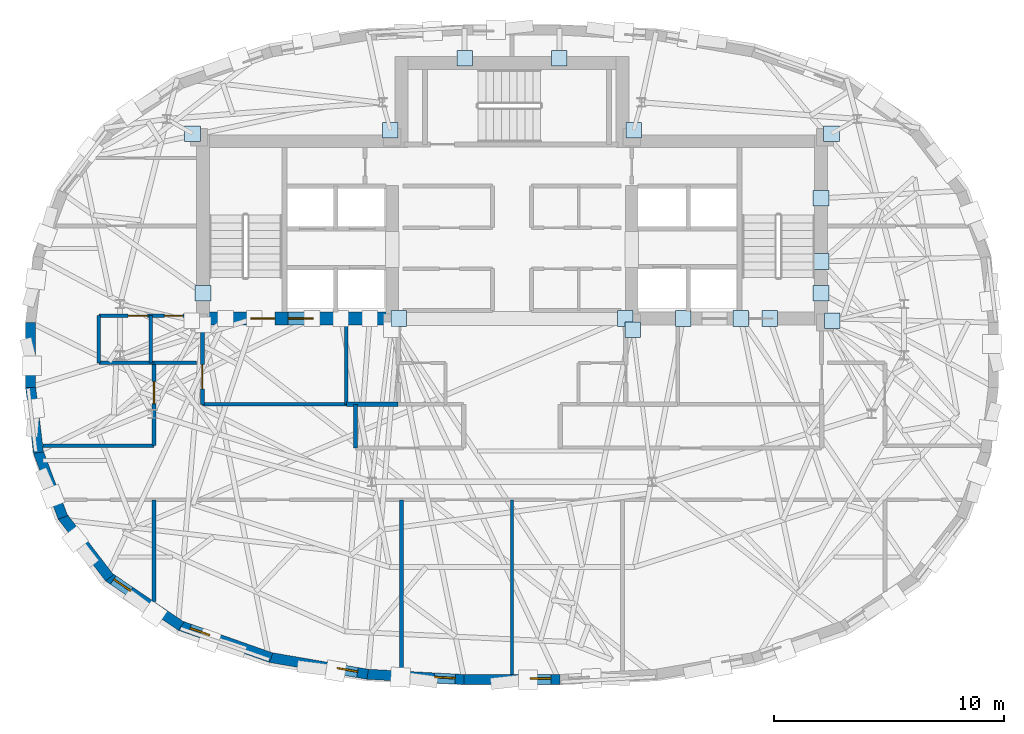
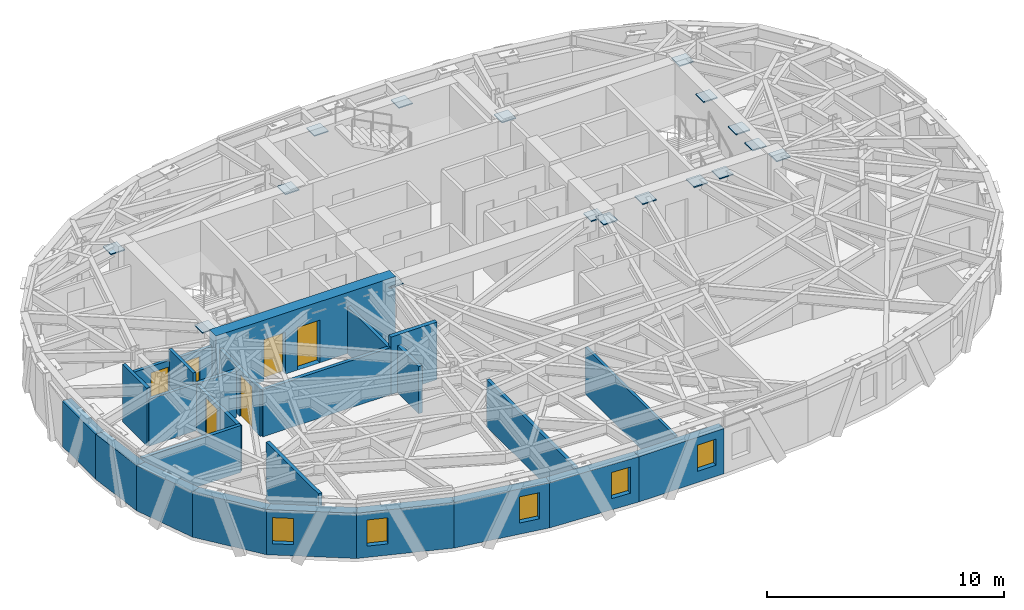
# One storey, part 5 of 12: 25 walls, 17 plates, 6 doors, 5 windows, 11 openings.
"""IFC4 building model written with IfcOpenShell, lengths in metres."""

from ifc_helpers import new_model, si_unit, direction, frame, frame_2d, origin, origin_2d, place, context, subcontext, project, spatial, rectangle, extrude, material, layer, layer_set, type_object, element, fill, save


model = new_model("IFC4")

# Units and contexts
model_context = context("Model", 3, precision=1e-05, world=origin(), true_north=direction((0.0, 1.0)))
body_context = subcontext(model_context, "Body", "Model", "MODEL_VIEW")
ifc_project = project(units=[si_unit("LENGTHUNIT", "METRE"), si_unit("AREAUNIT", "SQUARE_METRE"), si_unit("VOLUMEUNIT", "CUBIC_METRE"), si_unit("PLANEANGLEUNIT", "RADIAN"), si_unit("MASSUNIT", "GRAM", prefix="KILO")], contexts=[model_context])

# Site, building, storey
site_placement = place(None, origin())
site = spatial("IfcSite", under=ifc_project, at=site_placement, CompositionType="ELEMENT")
building_placement = place(site_placement, origin())
building = spatial("IfcBuilding", under=site, at=building_placement, Name="Keldmark Tower", CompositionType="ELEMENT")
storey_placement = place(building_placement, frame((0.0, 0.0, 247.800048828125)))
storey = spatial("IfcBuildingStorey", under=building, at=storey_placement, Name="L70", CompositionType="ELEMENT", Elevation=247.800048828125)

# Plates
ifc_material_1 = material(Name="Steel ASTM A572 Grade 50", Category="steel")
ifc_layer_1 = layer(ifc_material_1, 0.06005859375)
ifc_layer_set_1 = layer_set([ifc_layer_1], Name="Steel ASTM A572 Grade 50")
plate_type = type_object("IfcPlateType", Name="Belt Truss Kink Node Assembly KN01 60 mm", PredefinedType="USERDEFINED", material=ifc_layer_set_1)
for number, where, z_axis, x_axis, name in (
    (1, (13.91162109375, 1.473388671875, 2.67822265625), (0.0, 0.0, 1.0), (1.0, 0.0, 0.0), "L70 Core Wall Cast-In Embed Plate 2032"),
    (2, (13.878173828125, 9.608154296875, 2.67822265625), (0.0, 0.0, 1.0), (1.0, 0.0, 0.0), "L70 Core Wall Cast-In Embed Plate 2033"),
    (3, (5.28515625, 9.758544921875, 2.67822265625), (0.0, 0.0, 1.0), (1.0, 0.0, 0.0), "L70 Core Wall Cast-In Embed Plate 2034"),
    (4, (-5.28515625, 9.758544921875, 2.67822265625), (0.0, 0.0, 1.0), (1.0, 0.0, 0.0), "L70 Core Wall Cast-In Embed Plate 2035"),
    (5, (-13.878173828125, 9.608154296875, 2.67822265625), (0.0, 0.0, 1.0), (1.0, 0.0, 0.0), "L70 Core Wall Cast-In Embed Plate 2036"),
    (6, (5.24072265625, 1.08251953125, 2.67822265625), (0.0, 0.0, 1.0), (1.0, 0.0, 0.0), "L70 Core Wall Cast-In Embed Plate 2039"),
    (7, (2.059326171875, 12.8798828125, 2.673828125), (0.0, 0.0, 1.0), (1.0, 0.0, 0.0), "L70 Core Wall Cast-In Embed Plate 2040"),
    (8, (-2.059326171875, 12.8798828125, 2.673828125), (0.0, 0.0, 1.0), (1.0, 0.0, 0.0), "L70 Core Wall Cast-In Embed Plate 2041"),
    (9, (7.43212890625, 1.574951171875, 2.673828125), (0.0, 0.0, 1.0), (1.0, 0.0, 0.0), "L70 Core Wall Cast-In Embed Plate 2044"),
    (10, (11.19287109375, 1.574951171875, 2.673828125), (0.0, 0.0, 1.0), (1.0, 0.0, 0.0), "L70 Core Wall Cast-In Embed Plate 2045"),
    (11, (13.425048828125, 4.050048828125, 2.673828125), (0.0, 0.0, 1.0), (1.0, 0.0, 0.0), "L70 Core Wall Cast-In Embed Plate 2046"),
    (12, (4.925048828125, 1.574951171875, 2.673828125), (0.0, 0.0, 1.0), (1.0, 0.0, 0.0), "L70 Core Wall Cast-In Embed Plate 2047"),
    (13, (9.939208984375, 1.574951171875, 2.673828125), (0.0, 0.0, 1.0), (1.0, 0.0, 0.0), "L70 Core Wall Cast-In Embed Plate 2049"),
    (14, (13.425048828125, 6.800048828125, 2.673828125), (0.0, 0.0, 1.0), (1.0, 0.0, 0.0), "L70 Core Wall Cast-In Embed Plate 2050"),
    (15, (-4.925048828125, 1.574951171875, 2.673828125), (0.0, 0.0, 1.0), (1.0, 0.0, 0.0), "L70 Core Wall Cast-In Embed Plate 2054"),
    (16, (13.425048828125, 2.675048828125, 2.673828125), (0.0, 0.0, 1.0), (1.0, 0.0, 0.0), "L70 Core Wall Cast-In Embed Plate 2055"),
    (17, (-13.425048828125, 2.675048828125, 2.673828125), (0.0, 0.0, 1.0), (1.0, 0.0, 0.0), "L70 Core Wall Cast-In Embed Plate 2056"),
):
    element("IfcPlate", number, at=place(storey_placement, frame(where, z_axis=z_axis, x_axis=x_axis)), inside=storey, type_object=plate_type, Name=name, ObjectType="CAP PLATE", PredefinedType="USERDEFINED", context=body_context, shape_type="SweptSolid", body=[
        extrude(rectangle(XDim=0.679931640625, YDim=0.679931640625, at=origin_2d()), origin(), (0.0, 0.0, 1.0), 0.054931640625),
    ])

# Wall
ifc_material_2 = material(Name="Heavy Acoustic Plumbing Chase Gypsum Assembly", Category="gypsum")
ifc_layer_2 = layer(ifc_material_2, 0.18994140625)
ifc_layer_set_2 = layer_set([ifc_layer_2], Name="Heavy Acoustic Plumbing Chase Gypsum Assembly")
wall_type_1 = type_object("IfcWallType", Name="Heavy Wet Wall 190 mm", PredefinedType="PLUMBINGWALL", material=ifc_layer_set_2)
wall_1_placement = place(storey_placement, frame((-6.800048828125, -4.050048828125, 0.0), z_axis=(0.0, 0.0, 1.0), x_axis=(0.0, 1.0, 0.0)))
element("IfcWall", 18, at=wall_1_placement, inside=storey, type_object=wall_type_1, Name="L70 Heavy Wet Wall 190 mm SPK-W-W", PredefinedType="PLUMBINGWALL", context=body_context, shape_type="SweptSolid", body=[
    extrude(rectangle(XDim=1.900146484375, YDim=0.18994140625, at=frame_2d((0.9501953125, 0.0))), origin(), (0.0, 0.0, 1.0), 2.4228515625),
])

# Wall, openings, doors
ifc_material_3 = material(Name="Concrete C50/60", Category="concrete")
ifc_layer_3 = layer(ifc_material_3, 0.550048828125)
ifc_layer_set_3 = layer_set([ifc_layer_3], Name="Concrete C50/60")
wall_type_2 = type_object("IfcWallType", Name="High-Rise Core Shear Wall 550 mm", PredefinedType="SHEAR", material=ifc_layer_set_3)
wall_2_placement = place(storey_placement, frame((-4.925048828125, 1.574951171875, 0.0), z_axis=(0.0, 0.0, 1.0), x_axis=(-1.0, 0.0, 0.0)))
wall_2 = element("IfcWall", 19, at=wall_2_placement, inside=storey, type_object=wall_type_2, Name="L70 West Core South Shear Wall", PredefinedType="SHEAR", context=body_context, shape_type="SweptSolid", body=[
    extrude(rectangle(XDim=8.77490234375, YDim=0.550048828125, at=frame_2d((4.387451171875, 0.0))), origin(), (0.0, 0.0, 1.0), 3.14990234375),
])
opening_1_placement = place(wall_2_placement, frame((5.375, 0.0, 0.0)))
opening_1 = element("IfcOpeningElement", 20, at=opening_1_placement, cuts=wall_2, Name="Opening D-ST105", PredefinedType="OPENING", context=body_context, shape_type="SweptSolid", body=[
    extrude(rectangle(XDim=1.050048828125, YDim=2.14990234375, at=frame_2d((0.52490234375, 1.074951171875))), frame((0.0, 0.284912109375, 0.0), z_axis=(0.0, -1.0, 0.0), x_axis=(1.0, 0.0, 0.0)), (0.0, 0.0, 1.0), 0.570068359375),
])
opening_2_placement = place(wall_2_placement, frame((3.705078125, 0.0, 0.0)))
opening_2 = element("IfcOpeningElement", 21, at=opening_2_placement, cuts=wall_2, Name="Opening LD-110", PredefinedType="OPENING", context=body_context, shape_type="SweptSolid", body=[
    extrude(rectangle(XDim=1.10009765625, YDim=2.199951171875, at=frame_2d((0.550048828125, 1.10009765625))), frame((0.0, 0.284912109375, 0.0), z_axis=(0.0, -1.0, 0.0), x_axis=(1.0, 0.0, 0.0)), (0.0, 0.0, 1.0), 0.570068359375),
])
ifc_material_4 = material(Name="Brushed Bronze Hoistway Sliding Leaf", Category="metal")
door_type_1 = type_object("IfcDoorType", Name="Lift Landing Sliding Door 1100x2200", OperationType="SLIDING_TO_LEFT", PredefinedType="DOOR", material=ifc_material_4)
door_1_placement = place(opening_2_placement, origin())
door_1 = element("IfcDoor", 22, at=door_1_placement, inside=storey, type_object=door_type_1, Name="L70 Lift Landing Sliding Door 1100x2200 LD-EL-FS1-L70", OperationType="SLIDING_TO_LEFT", OverallHeight=2.199951171875, OverallWidth=1.10009765625, PredefinedType="DOOR", context=body_context, shape_type="SweptSolid", body=[
    extrude(rectangle(XDim=1.10009765625, YDim=2.199951171875, at=frame_2d((0.550048828125, 1.10009765625))), frame((0.0, 0.02490234375, 0.0), z_axis=(0.0, -1.0, 0.0), x_axis=(1.0, 0.0, 0.0)), (0.0, 0.0, 1.0), 0.050048828125),
])
fill(opening_2, door_1)
ifc_material_5 = material(Name="Hollow Metal Fire-Rated Door Assembly", Category="metal")
door_type_2 = type_object("IfcDoorType", Name="Stair Fire Door 1050x2150", OperationType="NOTDEFINED", PredefinedType="DOOR", material=ifc_material_5)
door_2_placement = place(opening_1_placement, origin())
door_2 = element("IfcDoor", 23, at=door_2_placement, inside=storey, type_object=door_type_2, Name="L70 Stair Fire Door 1050x2150 D-ST1-L70", OperationType="SINGLE_SWING_RIGHT", OverallHeight=2.14990234375, OverallWidth=1.050048828125, PredefinedType="DOOR", context=body_context, shape_type="SweptSolid", body=[
    extrude(rectangle(XDim=1.050048828125, YDim=2.14990234375, at=frame_2d((0.52490234375, 1.074951171875))), frame((0.0, 0.02490234375, 0.0), z_axis=(0.0, -1.0, 0.0), x_axis=(1.0, 0.0, 0.0)), (0.0, 0.0, 1.0), 0.050048828125),
])
fill(opening_1, door_2)

# Walls
ifc_material_6 = material(Name="Acoustic Gypsum Board Interior Partition", Category="gypsum")
ifc_layer_4 = layer(ifc_material_6, 0.1298828125)
ifc_layer_set_4 = layer_set([ifc_layer_4], Name="Acoustic Gypsum Board Interior Partition")
wall_type_3 = type_object("IfcWallType", Name="Interior Partition 130 mm", PredefinedType="PARTITIONING", material=ifc_layer_set_4)
wall_3_placement = place(storey_placement, frame((0.0, -13.882080078125, 0.0), z_axis=(0.0, 0.0, 1.0), x_axis=(0.0, 1.0, 0.0)))
element("IfcWall", 24, at=wall_3_placement, inside=storey, type_object=wall_type_3, Name="L70 Interior Partition 130 mm RS-T4-M", PredefinedType="PARTITIONING", context=body_context, shape_type="SweptSolid", body=[
    extrude(rectangle(XDim=7.58203125, YDim=0.1298828125, at=frame_2d((3.791015625, 0.0))), origin(), (0.0, 0.0, 1.0), 2.4228515625),
])
ifc_material_7 = material(Name="Type X Fire-Rated Gypsum Partition Assembly", Category="gypsum")
ifc_layer_5 = layer(ifc_material_7, 0.1650390625)
ifc_layer_set_5 = layer_set([ifc_layer_5], Name="Type X Fire-Rated Gypsum Partition Assembly")
wall_type_4 = type_object("IfcWallType", Name="Rated Partition 165 mm", PredefinedType="PARTITIONING", material=ifc_layer_set_5)
wall_4_placement = place(storey_placement, frame((-13.449951171875, -2.14990234375, 0.0), z_axis=(0.0, 0.0, 1.0), x_axis=(1.0, 0.0, 0.0)))
element("IfcWall", 25, at=wall_4_placement, inside=storey, type_object=wall_type_4, Name="L70 Rated Partition 165 mm FSAE-W-S", PredefinedType="PARTITIONING", context=body_context, shape_type="SweptSolid", body=[
    extrude(rectangle(XDim=6.25, YDim=0.1650390625, at=frame_2d((3.125, 0.0))), origin(), (0.0, 0.0, 1.0), 2.4228515625),
])

# Wall, opening, door
wall_5_placement = place(storey_placement, frame((-13.449951171875, -2.14990234375, 0.0), z_axis=(0.0, 0.0, 1.0), x_axis=(0.0, 1.0, 0.0)))
wall_5 = element("IfcWall", 26, at=wall_5_placement, inside=storey, type_object=wall_type_4, Name="L70 Rated Partition 165 mm FSAE-W-W", PredefinedType="PARTITIONING", context=body_context, shape_type="SweptSolid", body=[
    extrude(rectangle(XDim=3.5, YDim=0.1650390625, at=frame_2d((1.75, 0.0))), origin(), (0.0, 0.0, 1.0), 2.4228515625),
])
opening_3_placement = place(wall_5_placement, frame((0.669921875, 0.0, 0.0)))
opening_3 = element("IfcOpeningElement", 27, at=opening_3_placement, cuts=wall_5, Name="Opening D-FL105", PredefinedType="OPENING", context=body_context, shape_type="SweptSolid", body=[
    extrude(rectangle(XDim=1.050048828125, YDim=2.14990234375, at=frame_2d((0.52490234375, 1.074951171875))), frame((0.0, 0.092529296875, 0.0), z_axis=(0.0, -1.0, 0.0), x_axis=(1.0, 0.0, 0.0)), (0.0, 0.0, 1.0), 0.18505859375),
])
ifc_material_8 = material(Name="Fire-Rated Mineral-Core Door and Vision Lite", Category="metal")
door_type_3 = type_object("IfcDoorType", Name="Fire Lobby Door 1050x2150", OperationType="NOTDEFINED", PredefinedType="DOOR", material=ifc_material_8)
door_3_placement = place(opening_3_placement, origin())
door_3 = element("IfcDoor", 28, at=door_3_placement, inside=storey, type_object=door_type_3, Name="L70 Fire Lobby Door 1050x2150 D-FSAEW-OUT-L70", OperationType="SINGLE_SWING_RIGHT", OverallHeight=2.14990234375, OverallWidth=1.050048828125, PredefinedType="DOOR", context=body_context, shape_type="SweptSolid", body=[
    extrude(rectangle(XDim=1.050048828125, YDim=2.14990234375, at=frame_2d((0.52490234375, 1.074951171875))), frame((0.0, 0.02490234375, 0.0), z_axis=(0.0, -1.0, 0.0), x_axis=(1.0, 0.0, 0.0)), (0.0, 0.0, 1.0), 0.050048828125),
])
fill(opening_3, door_3)

# Walls
wall_6_placement = place(storey_placement, frame((-7.199951171875, -2.14990234375, 0.0), z_axis=(0.0, 0.0, 1.0), x_axis=(0.0, 1.0, 0.0)))
element("IfcWall", 29, at=wall_6_placement, inside=storey, type_object=wall_type_4, Name="L70 Rated Partition 165 mm FSAE-W-E", PredefinedType="PARTITIONING", context=body_context, shape_type="SweptSolid", body=[
    extrude(rectangle(XDim=3.5, YDim=0.1650390625, at=frame_2d((1.75, 0.0))), origin(), (0.0, 0.0, 1.0), 2.4228515625),
])
wall_7_placement = place(storey_placement, frame((-20.37939453125, -3.949951171875, 0.0), z_axis=(0.0, 0.0, 1.0), x_axis=(1.0, 0.0, 0.0)))
element("IfcWall", 30, at=wall_7_placement, inside=storey, type_object=wall_type_4, Name="L70 Rated Partition 165 mm RCOR-WN-OUT", PredefinedType="PARTITIONING", context=body_context, shape_type="SweptSolid", body=[
    extrude(rectangle(XDim=4.829345703125, YDim=0.1650390625, at=frame_2d((2.41455078125, 0.0))), origin(), (0.0, 0.0, 1.0), 2.4228515625),
])

# Wall, opening, door
wall_8_placement = place(storey_placement, frame((-15.550048828125, -3.949951171875, 0.0), z_axis=(0.0, 0.0, 1.0), x_axis=(0.0, 1.0, 0.0)))
wall_8 = element("IfcWall", 31, at=wall_8_placement, inside=storey, type_object=wall_type_4, Name="L70 Rated Partition 165 mm RCOR-VW", PredefinedType="PARTITIONING", context=body_context, shape_type="SweptSolid", body=[
    extrude(rectangle(XDim=3.599853515625, YDim=0.1650390625, at=frame_2d((1.7998046875, 0.0))), origin(), (0.0, 0.0, 1.0), 2.35693359375),
])
opening_4_placement = place(wall_8_placement, frame((1.830078125, 0.0, 0.0)))
opening_4 = element("IfcOpeningElement", 32, at=opening_4_placement, cuts=wall_8, Name="Opening D-AP095", PredefinedType="OPENING", context=body_context, shape_type="SweptSolid", body=[
    extrude(rectangle(XDim=0.949951171875, YDim=2.14990234375, at=frame_2d((0.47509765625, 1.074951171875))), frame((0.0, 0.092529296875, 0.0), z_axis=(0.0, -1.0, 0.0), x_axis=(1.0, 0.0, 0.0)), (0.0, 0.0, 1.0), 0.18505859375),
])
ifc_material_9 = material(Name="Solid-Core Walnut Fire-Rated Entry Assembly", Category="wood")
door_type_4 = type_object("IfcDoorType", Name="Apartment Entry Door 950x2150", OperationType="NOTDEFINED", PredefinedType="DOOR", material=ifc_material_9)
door_4_placement = place(opening_4_placement, origin())
door_4 = element("IfcDoor", 33, at=door_4_placement, inside=storey, type_object=door_type_4, Name="L70 Apartment Entry Door 950x2150 D-UA-ENT-L70", OperationType="SINGLE_SWING_RIGHT", OverallHeight=2.14990234375, OverallWidth=0.949951171875, PredefinedType="DOOR", context=body_context, shape_type="SweptSolid", body=[
    extrude(rectangle(XDim=0.949951171875, YDim=2.14990234375, at=frame_2d((0.47509765625, 1.074951171875))), frame((0.0, 0.02490234375, 0.0), z_axis=(0.0, -1.0, 0.0), x_axis=(1.0, 0.0, 0.0)), (0.0, 0.0, 1.0), 0.050048828125),
])
fill(opening_4, door_4)

# Walls
wall_9_placement = place(storey_placement, frame((-15.550048828125, -0.35009765625, 0.0), z_axis=(0.0, 0.0, 1.0), x_axis=(1.0, 0.0, 0.0)))
element("IfcWall", 34, at=wall_9_placement, inside=storey, type_object=wall_type_4, Name="L70 Rated Partition 165 mm RCOR-VWN", PredefinedType="PARTITIONING", context=body_context, shape_type="SweptSolid", body=[
    extrude(rectangle(XDim=1.85009765625, YDim=0.1650390625, at=frame_2d((0.925048828125, 0.0))), origin(), (0.0, 0.0, 1.0), 2.4228515625),
])
wall_10_placement = place(storey_placement, frame((-15.550048828125, -10.714111328125, 0.0), z_axis=(0.0, 0.0, 1.0), x_axis=(0.0, 1.0, 0.0)))
element("IfcWall", 35, at=wall_10_placement, inside=storey, type_object=wall_type_4, Name="L70 Rated Partition 165 mm RS-WCAP", PredefinedType="PARTITIONING", context=body_context, shape_type="SweptSolid", body=[
    extrude(rectangle(XDim=4.4140625, YDim=0.1650390625, at=frame_2d((2.20703125, 0.0))), origin(), (0.0, 0.0, 1.0), 2.969970703125),
])
wall_11_placement = place(storey_placement, frame((-4.800048828125, -13.731689453125, 0.0), z_axis=(0.0, 0.0, 1.0), x_axis=(0.0, 1.0, 0.0)))
element("IfcWall", 36, at=wall_11_placement, inside=storey, type_object=wall_type_4, Name="L70 Rated Partition 165 mm RS-T4-W", PredefinedType="PARTITIONING", context=body_context, shape_type="SweptSolid", body=[
    extrude(rectangle(XDim=7.431640625, YDim=0.1650390625, at=frame_2d((3.7158203125, 0.0))), origin(), (0.0, 0.0, 1.0), 2.4228515625),
])
ifc_material_10 = material(Name="Fire-Resistant Type X Gypsum Shaftliner Coreboard", Category="gypsum")
ifc_layer_6 = layer(ifc_material_10, 0.199951171875)
ifc_layer_set_6 = layer_set([ifc_layer_6], Name="Fire-Resistant Type X Gypsum Shaftliner Coreboard")
wall_type_5 = type_object("IfcWallType", Name="Shaft Wall 200 mm", PredefinedType="SOLIDWALL", material=ifc_layer_set_6)
wall_12_placement = place(storey_placement, frame((-7.199951171875, -2.14990234375, 0.0), z_axis=(0.0, 0.0, 1.0), x_axis=(1.0, 0.0, 0.0)))
element("IfcWall", 37, at=wall_12_placement, inside=storey, type_object=wall_type_5, Name="L70 Shaft Wall 200 mm RIS-SW-S", PredefinedType="SOLIDWALL", context=body_context, shape_type="SweptSolid", body=[
    extrude(rectangle(XDim=2.25, YDim=0.199951171875, at=frame_2d((1.125, 0.0))), origin(), (0.0, 0.0, 1.0), 2.969970703125),
])
ifc_material_11 = material(Name="Ironspot Manganese Brick and Kasota Buff Limestone Spandrel Assembly", Category="masonry")
ifc_layer_7 = layer(ifc_material_11, 0.43994140625)
ifc_layer_set_7 = layer_set([ifc_layer_7], Name="Ironspot Manganese Brick and Kasota Buff Limestone Spandrel Assembly")
wall_type_6 = type_object("IfcWallType", Name="Tower Brick Pier and Spandrel Wall 440 mm", PredefinedType="STANDARD", material=ifc_layer_set_7)
wall_13_placement = place(storey_placement, frame((-20.914306640625, -1.411376953125, 0.0), z_axis=(0.0, 0.0, 1.0), x_axis=(0.0, 1.0, 0.0)))
element("IfcWall", 38, at=wall_13_placement, inside=storey, type_object=wall_type_6, Name="L70 Exterior Brick and Spandrel Wall 16", PredefinedType="STANDARD", context=body_context, shape_type="SweptSolid", body=[
    extrude(rectangle(XDim=2.82275390625, YDim=0.43994140625, at=frame_2d((1.411376953125, 0.0))), origin(), (0.0, 0.0, 1.0), 2.3359375),
])
wall_14_placement = place(storey_placement, frame((-20.572998046875, -4.250244140625, 0.0), z_axis=(0.0, 0.0, 1.0), x_axis=(-0.118878304978, 0.992908831971, 0.0)))
element("IfcWall", 39, at=wall_14_placement, inside=storey, type_object=wall_type_6, Name="L70 Exterior Brick and Spandrel Wall 17", PredefinedType="STANDARD", context=body_context, shape_type="SweptSolid", body=[
    extrude(rectangle(XDim=2.885498046875, YDim=0.43994140625, at=frame_2d((1.44287109375, 0.0))), origin(), (0.0, 0.0, 1.0), 2.3359375),
])
wall_15_placement = place(storey_placement, frame((-19.5078125, -7.067138671875, 0.0), z_axis=(0.0, 0.0, 1.0), x_axis=(-0.351786989162, 0.936080078976, 0.0)))
element("IfcWall", 40, at=wall_15_placement, inside=storey, type_object=wall_type_6, Name="L70 Exterior Brick and Spandrel Wall 18", PredefinedType="STANDARD", context=body_context, shape_type="SweptSolid", body=[
    extrude(rectangle(XDim=3.06396484375, YDim=0.43994140625, at=frame_2d((1.531982421875, 0.0))), origin(), (0.0, 0.0, 1.0), 2.3359375),
])
wall_16_placement = place(storey_placement, frame((-17.4833984375, -9.692138671875, 0.0), z_axis=(0.0, 0.0, 1.0), x_axis=(-0.608417890777, 0.793616828314, 0.0)))
element("IfcWall", 41, at=wall_16_placement, inside=storey, type_object=wall_type_6, Name="L70 Exterior Brick and Spandrel Wall 19", PredefinedType="STANDARD", context=body_context, shape_type="SweptSolid", body=[
    extrude(rectangle(XDim=3.378662109375, YDim=0.43994140625, at=frame_2d((1.689453125, 0.0))), origin(), (0.0, 0.0, 1.0), 2.3359375),
])

# Wall, opening, window
wall_17_placement = place(storey_placement, frame((-14.3681640625, -11.790771484375, 0.0), z_axis=(0.0, 0.0, 1.0), x_axis=(-0.827685387822, 0.56119239017, 0.0)))
wall_17 = element("IfcWall", 42, at=wall_17_placement, inside=storey, type_object=wall_type_6, Name="L70 Exterior Brick and Spandrel Wall 20", PredefinedType="STANDARD", context=body_context, shape_type="SweptSolid", body=[
    extrude(rectangle(XDim=3.82568359375, YDim=0.43994140625, at=frame_2d((1.912841796875, 0.0))), origin(), (0.0, 0.0, 1.0), 2.3359375),
])
opening_5_placement = place(wall_17_placement, frame((2.67626953125, 0.0, 0.580078125)))
opening_5 = element("IfcOpeningElement", 43, at=opening_5_placement, cuts=wall_17, Name="Opening W-09", PredefinedType="OPENING", context=body_context, shape_type="SweptSolid", body=[
    extrude(rectangle(XDim=0.89990234375, YDim=1.35009765625, at=frame_2d((0.449951171875, 0.675048828125))), frame((0.0, 0.22998046875, 0.0), z_axis=(0.0, -1.0, 0.0), x_axis=(1.0, 0.0, 0.0)), (0.0, 0.0, 1.0), 0.4599609375),
])
ifc_material_12 = material(Name="Thermally Broken Anodized Aluminum and Triple Low-E Argon Glazing", Category="aluminium")
window_type = type_object("IfcWindowType", Name="Corner Pier Deep-Set Window 900x1350", PartitioningType="SINGLE_PANEL", PredefinedType="WINDOW", material=ifc_material_12)
window_1_placement = place(opening_5_placement, origin())
window_1 = element("IfcWindow", 44, at=window_1_placement, inside=storey, type_object=window_type, Name="L70 Deep-Set Window 20", OverallHeight=1.35009765625, OverallWidth=0.89990234375, PartitioningType="SINGLE_PANEL", PredefinedType="WINDOW", context=body_context, shape_type="SweptSolid", body=[
    extrude(rectangle(XDim=0.89990234375, YDim=1.35009765625, at=frame_2d((0.449951171875, 0.675048828125))), frame((0.0, -0.010009765625, 0.0), z_axis=(0.0, -1.0, 0.0), x_axis=(1.0, 0.0, 0.0)), (0.0, 0.0, 1.0), 0.06005859375),
])
fill(opening_5, window_1)

wall_18_placement = place(storey_placement, frame((-10.464111328125, -13.1591796875, 0.0), z_axis=(0.0, 0.0, 1.0), x_axis=(-0.943128925421, 0.332427180047, 0.0)))
wall_18 = element("IfcWall", 45, at=wall_18_placement, inside=storey, type_object=wall_type_6, Name="L70 Exterior Brick and Spandrel Wall 21", PredefinedType="STANDARD", context=body_context, shape_type="SweptSolid", body=[
    extrude(rectangle(XDim=4.19287109375, YDim=0.43994140625, at=frame_2d((2.096435546875, 0.0))), origin(), (0.0, 0.0, 1.0), 2.3359375),
])
opening_6_placement = place(wall_18_placement, frame((2.843505859375, 0.0, 0.580078125)))
opening_6 = element("IfcOpeningElement", 46, at=opening_6_placement, cuts=wall_18, Name="Opening W-09", PredefinedType="OPENING", context=body_context, shape_type="SweptSolid", body=[
    extrude(rectangle(XDim=0.89990234375, YDim=1.35009765625, at=frame_2d((0.449951171875, 0.675048828125))), frame((0.0, 0.22998046875, 0.0), z_axis=(0.0, -1.0, 0.0), x_axis=(1.0, 0.0, 0.0)), (0.0, 0.0, 1.0), 0.4599609375),
])
window_2_placement = place(opening_6_placement, origin())
window_2 = element("IfcWindow", 47, at=window_2_placement, inside=storey, type_object=window_type, Name="L70 Deep-Set Window 21", OverallHeight=1.35009765625, OverallWidth=0.89990234375, PartitioningType="SINGLE_PANEL", PredefinedType="WINDOW", context=body_context, shape_type="SweptSolid", body=[
    extrude(rectangle(XDim=0.89990234375, YDim=1.35009765625, at=frame_2d((0.449951171875, 0.675048828125))), frame((0.0, -0.010009765625, 0.0), z_axis=(0.0, -1.0, 0.0), x_axis=(1.0, 0.0, 0.0)), (0.0, 0.0, 1.0), 0.06005859375),
])
fill(opening_6, window_2)

wall_19_placement = place(storey_placement, frame((-6.26953125, -13.880615234375, 0.0), z_axis=(0.0, 0.0, 1.0), x_axis=(-0.985405225971, 0.170224970641, 0.0)))
wall_19 = element("IfcWall", 48, at=wall_19_placement, inside=storey, type_object=wall_type_6, Name="L70 Exterior Brick and Spandrel Wall 22", PredefinedType="STANDARD", context=body_context, shape_type="SweptSolid", body=[
    extrude(rectangle(XDim=4.292724609375, YDim=0.43994140625, at=frame_2d((2.146484375, 0.0))), origin(), (0.0, 0.0, 1.0), 2.3359375),
])
opening_7_placement = place(wall_19_placement, frame((0.449462890625, 0.0, 0.580078125)))
opening_7 = element("IfcOpeningElement", 49, at=opening_7_placement, cuts=wall_19, Name="Opening W-09", PredefinedType="OPENING", context=body_context, shape_type="SweptSolid", body=[
    extrude(rectangle(XDim=0.89990234375, YDim=1.35009765625, at=frame_2d((0.449951171875, 0.675048828125))), frame((0.0, 0.22998046875, 0.0), z_axis=(0.0, -1.0, 0.0), x_axis=(1.0, 0.0, 0.0)), (0.0, 0.0, 1.0), 0.4599609375),
])
window_3_placement = place(opening_7_placement, origin())
window_3 = element("IfcWindow", 50, at=window_3_placement, inside=storey, type_object=window_type, Name="L70 Deep-Set Window 22", OverallHeight=1.35009765625, OverallWidth=0.89990234375, PartitioningType="SINGLE_PANEL", PredefinedType="WINDOW", context=body_context, shape_type="SweptSolid", body=[
    extrude(rectangle(XDim=0.89990234375, YDim=1.35009765625, at=frame_2d((0.449951171875, 0.675048828125))), frame((0.0, -0.010009765625, 0.0), z_axis=(0.0, -1.0, 0.0), x_axis=(1.0, 0.0, 0.0)), (0.0, 0.0, 1.0), 0.06005859375),
])
fill(opening_7, window_3)

wall_20_placement = place(storey_placement, frame((-2.069580078125, -14.1103515625, 0.0), z_axis=(0.0, 0.0, 1.0), x_axis=(-0.998487393463, 0.05498113399, 0.0)))
wall_20 = element("IfcWall", 51, at=wall_20_placement, inside=storey, type_object=wall_type_6, Name="L70 Exterior Brick and Spandrel Wall 23", PredefinedType="STANDARD", context=body_context, shape_type="SweptSolid", body=[
    extrude(rectangle(XDim=4.231689453125, YDim=0.43994140625, at=frame_2d((2.11572265625, 0.0))), origin(), (0.0, 0.0, 1.0), 2.3359375),
])
opening_8_placement = place(wall_20_placement, frame((0.398681640625, 0.0, 0.580078125)))
opening_8 = element("IfcOpeningElement", 52, at=opening_8_placement, cuts=wall_20, Name="Opening W-09", PredefinedType="OPENING", context=body_context, shape_type="SweptSolid", body=[
    extrude(rectangle(XDim=0.89990234375, YDim=1.35009765625, at=frame_2d((0.449951171875, 0.675048828125))), frame((0.0, 0.22998046875, 0.0), z_axis=(0.0, -1.0, 0.0), x_axis=(1.0, 0.0, 0.0)), (0.0, 0.0, 1.0), 0.4599609375),
])
window_4_placement = place(opening_8_placement, origin())
window_4 = element("IfcWindow", 53, at=window_4_placement, inside=storey, type_object=window_type, Name="L70 Deep-Set Window 23", OverallHeight=1.35009765625, OverallWidth=0.89990234375, PartitioningType="SINGLE_PANEL", PredefinedType="WINDOW", context=body_context, shape_type="SweptSolid", body=[
    extrude(rectangle(XDim=0.89990234375, YDim=1.35009765625, at=frame_2d((0.449951171875, 0.675048828125))), frame((0.0, -0.010009765625, 0.0), z_axis=(0.0, -1.0, 0.0), x_axis=(1.0, 0.0, 0.0)), (0.0, 0.0, 1.0), 0.06005859375),
])
fill(opening_8, window_4)

wall_21_placement = place(storey_placement, frame((2.08154296875, -14.110107421875, 0.0), z_axis=(0.0, 0.0, 1.0), x_axis=(-1.0, 0.0, 0.0)))
wall_21 = element("IfcWall", 54, at=wall_21_placement, inside=storey, type_object=wall_type_6, Name="L70 Exterior Brick and Spandrel Wall 24", PredefinedType="STANDARD", context=body_context, shape_type="SweptSolid", body=[
    extrude(rectangle(XDim=4.1630859375, YDim=0.43994140625, at=frame_2d((2.08154296875, 0.0))), origin(), (0.0, 0.0, 1.0), 2.3359375),
])
opening_9_placement = place(wall_21_placement, frame((0.3974609375, 0.0, 0.580078125)))
opening_9 = element("IfcOpeningElement", 55, at=opening_9_placement, cuts=wall_21, Name="Opening W-09", PredefinedType="OPENING", context=body_context, shape_type="SweptSolid", body=[
    extrude(rectangle(XDim=0.89990234375, YDim=1.35009765625, at=frame_2d((0.449951171875, 0.675048828125))), frame((0.0, 0.22998046875, 0.0), z_axis=(0.0, -1.0, 0.0), x_axis=(1.0, 0.0, 0.0)), (0.0, 0.0, 1.0), 0.4599609375),
])
window_5_placement = place(opening_9_placement, origin())
window_5 = element("IfcWindow", 56, at=window_5_placement, inside=storey, type_object=window_type, Name="L70 Deep-Set Window 24", OverallHeight=1.35009765625, OverallWidth=0.89990234375, PartitioningType="SINGLE_PANEL", PredefinedType="WINDOW", context=body_context, shape_type="SweptSolid", body=[
    extrude(rectangle(XDim=0.89990234375, YDim=1.35009765625, at=frame_2d((0.449951171875, 0.675048828125))), frame((0.0, -0.010009765625, 0.0), z_axis=(0.0, -1.0, 0.0), x_axis=(1.0, 0.0, 0.0)), (0.0, 0.0, 1.0), 0.06005859375),
])
fill(opening_9, window_5)

# Wall, openings, doors
ifc_material_13 = material(Name="Moisture-Resistant Gypsum Plumbing Partition", Category="gypsum")
ifc_layer_8 = layer(ifc_material_13, 0.14990234375)
ifc_layer_set_8 = layer_set([ifc_layer_8], Name="Moisture-Resistant Gypsum Plumbing Partition")
wall_type_7 = type_object("IfcWallType", Name="Wet Wall 150 mm", PredefinedType="PLUMBINGWALL", material=ifc_layer_set_8)
wall_22_placement = place(storey_placement, frame((-17.949951171875, 1.699951171875, 0.0), z_axis=(0.0, 0.0, 1.0), x_axis=(1.0, 0.0, 0.0)))
wall_22 = element("IfcWall", 57, at=wall_22_placement, inside=storey, type_object=wall_type_7, Name="L70 Wet Wall 150 mm UA-BK-N", PredefinedType="PLUMBINGWALL", context=body_context, shape_type="SweptSolid", body=[
    extrude(rectangle(XDim=4.25, YDim=0.14990234375, at=frame_2d((2.125, 0.0))), origin(), (0.0, 0.0, 1.0), 2.4228515625),
])
opening_10_placement = place(wall_22_placement, frame((2.85009765625, 0.0, 0.0)))
opening_10 = element("IfcOpeningElement", 58, at=opening_10_placement, cuts=wall_22, Name="Opening D-BT080", PredefinedType="OPENING", context=body_context, shape_type="SweptSolid", body=[
    extrude(rectangle(XDim=0.800048828125, YDim=2.10009765625, at=frame_2d((0.39990234375, 1.050048828125))), frame((0.0, 0.0849609375, 0.0), z_axis=(0.0, -1.0, 0.0), x_axis=(1.0, 0.0, 0.0)), (0.0, 0.0, 1.0), 0.169921875),
])
opening_11_placement = place(wall_22_placement, frame((1.27001953125, 0.0, 0.0)))
opening_11 = element("IfcOpeningElement", 59, at=opening_11_placement, cuts=wall_22, Name="Opening D-IN085", PredefinedType="OPENING", context=body_context, shape_type="SweptSolid", body=[
    extrude(rectangle(XDim=0.85009765625, YDim=2.10009765625, at=frame_2d((0.425048828125, 1.050048828125))), frame((0.0, 0.0849609375, 0.0), z_axis=(0.0, -1.0, 0.0), x_axis=(1.0, 0.0, 0.0)), (0.0, 0.0, 1.0), 0.169921875),
])
ifc_material_14 = material(Name="Moisture-Sealed Stained Wood", Category="wood")
door_type_5 = type_object("IfcDoorType", Name="Bathroom Door 800x2100", OperationType="NOTDEFINED", PredefinedType="DOOR", material=ifc_material_14)
door_5_placement = place(opening_10_placement, origin())
door_5 = element("IfcDoor", 60, at=door_5_placement, inside=storey, type_object=door_type_5, Name="L70 Bathroom Door 800x2100 D-UA-BATH-L70", OperationType="SINGLE_SWING_LEFT", OverallHeight=2.10009765625, OverallWidth=0.800048828125, PredefinedType="DOOR", context=body_context, shape_type="SweptSolid", body=[
    extrude(rectangle(XDim=0.800048828125, YDim=2.10009765625, at=frame_2d((0.39990234375, 1.050048828125))), frame((0.0, 0.02490234375, 0.0), z_axis=(0.0, -1.0, 0.0), x_axis=(1.0, 0.0, 0.0)), (0.0, 0.0, 1.0), 0.050048828125),
])
fill(opening_10, door_5)
ifc_material_15 = material(Name="Painted Architectural Wood", Category="wood")
door_type_6 = type_object("IfcDoorType", Name="Interior Door 850x2100", OperationType="NOTDEFINED", PredefinedType="DOOR", material=ifc_material_15)
door_6_placement = place(opening_11_placement, origin())
door_6 = element("IfcDoor", 61, at=door_6_placement, inside=storey, type_object=door_type_6, Name="L70 Interior Door 850x2100 D-UA-KIT-L70", OperationType="SINGLE_SWING_RIGHT", OverallHeight=2.10009765625, OverallWidth=0.85009765625, PredefinedType="DOOR", context=body_context, shape_type="SweptSolid", body=[
    extrude(rectangle(XDim=0.85009765625, YDim=2.10009765625, at=frame_2d((0.425048828125, 1.050048828125))), frame((0.0, 0.02490234375, 0.0), z_axis=(0.0, -1.0, 0.0), x_axis=(1.0, 0.0, 0.0)), (0.0, 0.0, 1.0), 0.050048828125),
])
fill(opening_11, door_6)

# Walls
wall_23_placement = place(storey_placement, frame((-17.949951171875, -0.35009765625, 0.0), z_axis=(0.0, 0.0, 1.0), x_axis=(1.0, 0.0, 0.0)))
element("IfcWall", 62, at=wall_23_placement, inside=storey, type_object=wall_type_7, Name="L70 Wet Wall 150 mm UA-BK-S", PredefinedType="PLUMBINGWALL", context=body_context, shape_type="SweptSolid", body=[
    extrude(rectangle(XDim=2.39990234375, YDim=0.14990234375, at=frame_2d((1.199951171875, 0.0))), origin(), (0.0, 0.0, 1.0), 2.4228515625),
])
for number, where, z_axis, x_axis, name in (
    (63, (-15.699951171875, -0.35009765625, 0.0), (0.0, 0.0, 1.0), (0.0, 1.0, 0.0), "L70 Wet Wall 150 mm UA-BK-M"),
    (64, (-17.949951171875, -0.35009765625, 0.0), (0.0, 0.0, 1.0), (0.0, 1.0, 0.0), "L70 Wet Wall 150 mm UA-BK-OUT"),
):
    element("IfcWall", number, at=place(storey_placement, frame(where, z_axis=z_axis, x_axis=x_axis)), inside=storey, type_object=wall_type_7, Name=name, PredefinedType="PLUMBINGWALL", context=body_context, shape_type="SweptSolid", body=[
        extrude(rectangle(XDim=2.050048828125, YDim=0.14990234375, at=frame_2d((1.02490234375, 0.0))), origin(), (0.0, 0.0, 1.0), 2.969970703125),
    ])

save(model, "model.ifc")
